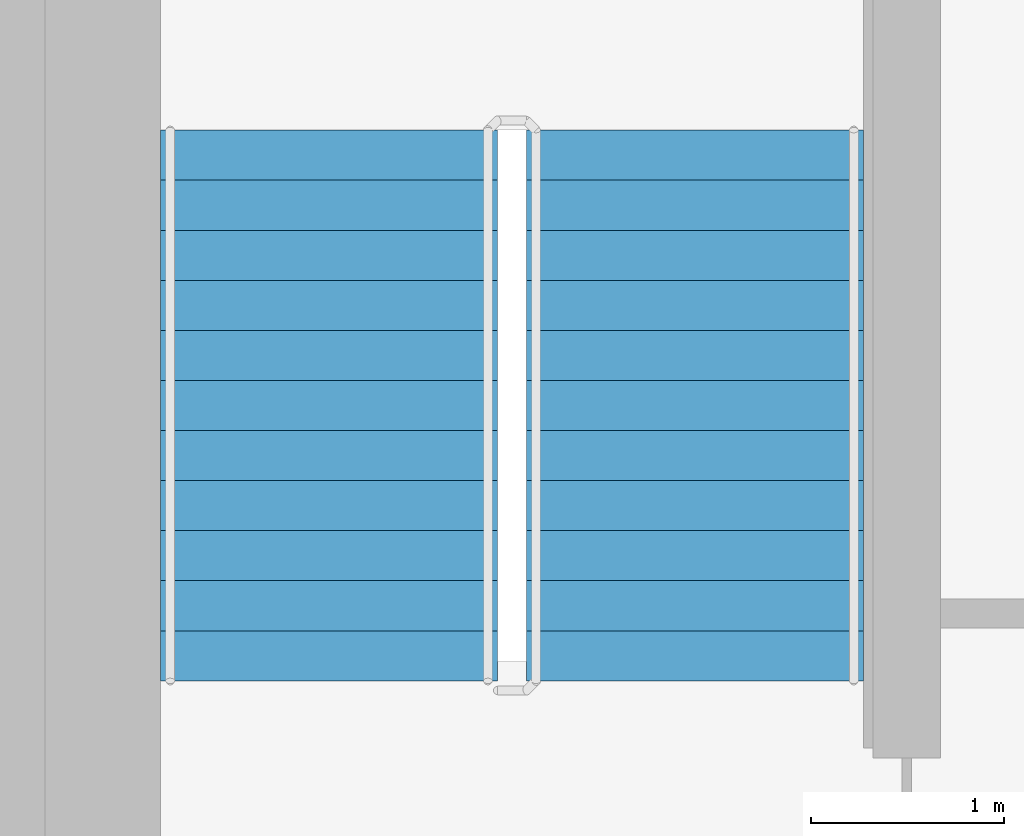
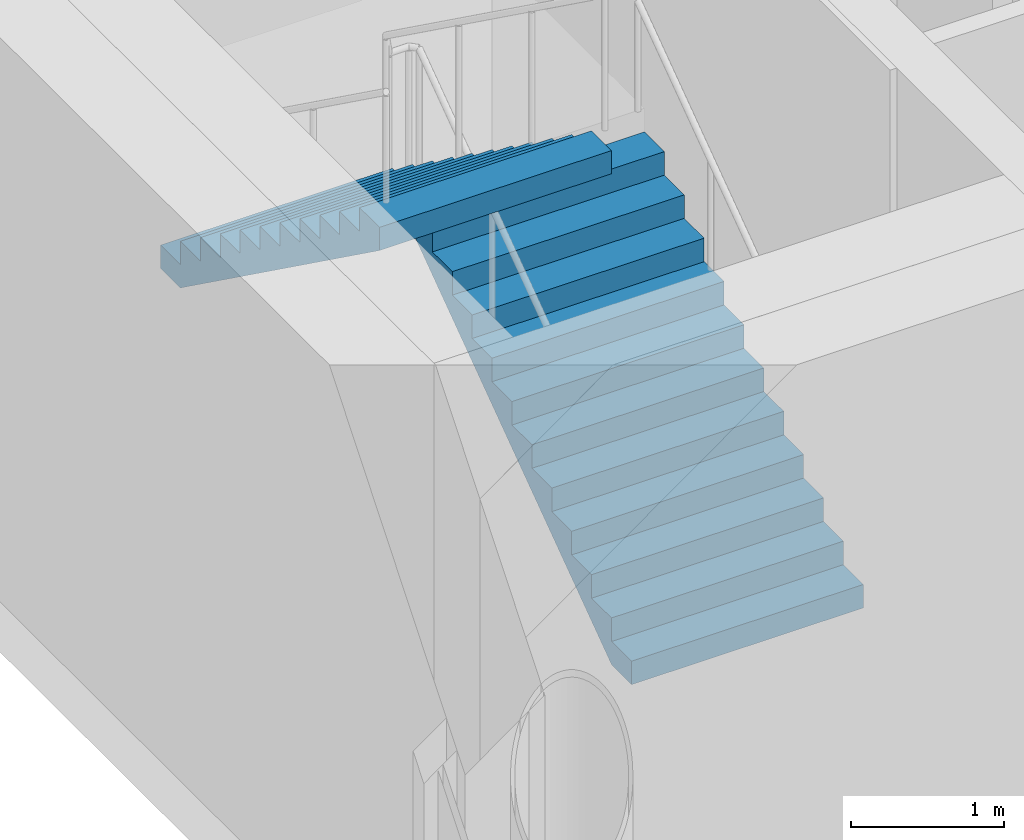
# One storey, part 11 of 12: 2 stair flights, 1 element without a shape of its own.
"""IFC4 building model written with IfcOpenShell, lengths in metres."""

from ifc_helpers import new_model, si_unit, direction, frame, origin, place, context, subcontext, project, spatial, faceted_brep, material, type_object, element, aggregate, save


model = new_model("IFC4")

# Units and contexts
model_context = context("Model", 3, precision=1e-05, world=origin(), true_north=direction((0.0, 1.0)))
body_context = subcontext(model_context, "Body", "Model", "MODEL_VIEW")
ifc_project = project(units=[si_unit("LENGTHUNIT", "METRE"), si_unit("AREAUNIT", "SQUARE_METRE"), si_unit("VOLUMEUNIT", "CUBIC_METRE"), si_unit("PLANEANGLEUNIT", "RADIAN"), si_unit("MASSUNIT", "GRAM", prefix="KILO")], contexts=[model_context])

# Site, building, storey
site_placement = place(None, origin())
site = spatial("IfcSite", under=ifc_project, at=site_placement, CompositionType="ELEMENT")
building_placement = place(site_placement, origin())
building = spatial("IfcBuilding", under=site, at=building_placement, Name="Ipe Terrace Towers", CompositionType="ELEMENT")
storey_placement = place(building_placement, frame((0.0, 0.0, 260.39990234375)))
storey = spatial("IfcBuildingStorey", under=building, at=storey_placement, Name="L71", CompositionType="ELEMENT", Elevation=260.39990234375)

# Stair, stair flights
ifc_material_1 = material(Name="Concrete C30/37", Category="concrete")
stair_type = type_object("IfcStairType", Name="Protected exit stair", PredefinedType="HALF_TURN_STAIR", material=ifc_material_1)
stair_placement = place(storey_placement, origin())
stair = element("IfcStair", 1, at=stair_placement, inside=storey, type_object=stair_type, Name="L71 Exit stair T2-C1", PredefinedType="HALF_TURN_STAIR")
ifc_material_2 = material(Name="Concrete C30/37", Category="concrete")
stair_flight_type = type_object("IfcStairFlightType", Name="Exit stair flight 1750", PredefinedType="STRAIGHT", material=ifc_material_2)
stair_flight_1_placement = place(storey_placement, frame((33.22509765625, 9.699951171875, 0.0), z_axis=(0.0, 0.0, 1.0), x_axis=(0.0, 1.0, 0.0)))
stair_flight_1 = element("IfcStairFlight", 2, at=stair_flight_1_placement, type_object=stair_flight_type, Name="T2-ST1 flight 1", NumberOfRisers=12, NumberOfTreads=11, PredefinedType="STRAIGHT", RiserHeight=0.1875, TreadLength=0.26, context=body_context, shape_type="Brep", body=[
    faceted_brep([(0.25634765625, -0.875, 0.0), (2.860107421875, -0.875, 1.877685546875), (2.860107421875, -0.875, 2.0625), (2.60009765625, -0.875, 2.0625), (2.60009765625, -0.875, 1.875), (2.340087890625, -0.875, 1.875), (2.340087890625, -0.875, 1.6875), (2.080078125, -0.875, 1.6875), (2.080078125, -0.875, 1.5), (1.820068359375, -0.875, 1.5), (1.820068359375, -0.875, 1.3125), (1.56005859375, -0.875, 1.3125), (1.56005859375, -0.875, 1.125), (1.300048828125, -0.875, 1.125), (1.300048828125, -0.875, 0.9375), (1.0400390625, -0.875, 0.9375), (1.0400390625, -0.875, 0.75), (0.780029296875, -0.875, 0.75), (0.780029296875, -0.875, 0.5625), (0.52001953125, -0.875, 0.5625), (0.52001953125, -0.875, 0.375), (0.260009765625, -0.875, 0.375), (0.260009765625, -0.875, 0.1875), (0.0, -0.875, 0.1875), (0.0, -0.875, 0.0), (0.0, 0.875, 0.0), (0.0, 0.875, 0.1875), (0.260009765625, 0.875, 0.1875), (0.260009765625, 0.875, 0.375), (0.52001953125, 0.875, 0.375), (0.52001953125, 0.875, 0.5625), (0.780029296875, 0.875, 0.5625), (0.780029296875, 0.875, 0.75), (1.0400390625, 0.875, 0.75), (1.0400390625, 0.875, 0.9375), (1.300048828125, 0.875, 0.9375), (1.300048828125, 0.875, 1.125), (1.56005859375, 0.875, 1.125), (1.56005859375, 0.875, 1.3125), (1.820068359375, 0.875, 1.3125), (1.820068359375, 0.875, 1.5), (2.080078125, 0.875, 1.5), (2.080078125, 0.875, 1.6875), (2.340087890625, 0.875, 1.6875), (2.340087890625, 0.875, 1.875), (2.60009765625, 0.875, 1.875), (2.60009765625, 0.875, 2.0625), (2.860107421875, 0.875, 2.0625), (2.860107421875, 0.875, 1.877685546875), (0.25634765625, 0.875, 0.0), (0.0, -0.300048828125, 0.1875), (0.0, -0.1201171875, 0.1875), (0.0, -0.06005859375, 0.1875), (0.0, -0.030029296875, 0.1875), (0.0, -0.010009765625, 0.1875), (0.0, 0.0, 0.1875), (0.0, 0.010009765625, 0.1875), (0.0, 0.030029296875, 0.1875), (0.0, 0.06005859375, 0.1875), (0.0, 0.1201171875, 0.1875), (0.0, 0.300048828125, 0.1875), (0.0, 0.300048828125, 0.0), (0.0, 0.1201171875, 0.0), (0.0, 0.06005859375, 0.0), (0.0, 0.030029296875, 0.0), (0.0, 0.010009765625, 0.0), (0.0, 0.0, 0.0), (0.0, -0.010009765625, 0.0), (0.0, -0.030029296875, 0.0), (0.0, -0.06005859375, 0.0), (0.0, -0.1201171875, 0.0), (0.0, -0.300048828125, 0.0), (0.260009765625, -0.300048828125, 0.1875), (0.260009765625, -0.1201171875, 0.1875), (0.260009765625, -0.06005859375, 0.1875), (0.260009765625, -0.030029296875, 0.1875), (0.260009765625, -0.010009765625, 0.1875), (0.260009765625, 0.0, 0.1875), (0.260009765625, 0.010009765625, 0.1875), (0.260009765625, 0.030029296875, 0.1875), (0.260009765625, 0.06005859375, 0.1875), (0.260009765625, 0.1201171875, 0.1875), (0.260009765625, 0.300048828125, 0.1875), (0.260009765625, -0.300048828125, 0.375), (0.260009765625, -0.1201171875, 0.375), (0.260009765625, -0.06005859375, 0.375), (0.260009765625, -0.030029296875, 0.375), (0.260009765625, -0.010009765625, 0.375), (0.260009765625, 0.0, 0.375), (0.260009765625, 0.010009765625, 0.375), (0.260009765625, 0.030029296875, 0.375), (0.260009765625, 0.06005859375, 0.375), (0.260009765625, 0.1201171875, 0.375), (0.260009765625, 0.300048828125, 0.375), (0.52001953125, -0.300048828125, 0.375), (0.52001953125, -0.1201171875, 0.375), (0.52001953125, -0.06005859375, 0.375), (0.52001953125, -0.030029296875, 0.375), (0.52001953125, -0.010009765625, 0.375), (0.52001953125, 0.0, 0.375), (0.52001953125, 0.010009765625, 0.375), (0.52001953125, 0.030029296875, 0.375), (0.52001953125, 0.06005859375, 0.375), (0.52001953125, 0.1201171875, 0.375), (0.52001953125, 0.300048828125, 0.375), (0.52001953125, -0.300048828125, 0.5625), (0.52001953125, -0.1201171875, 0.5625), (0.52001953125, -0.06005859375, 0.5625), (0.52001953125, -0.030029296875, 0.5625), (0.52001953125, -0.010009765625, 0.5625), (0.52001953125, 0.0, 0.5625), (0.52001953125, 0.010009765625, 0.5625), (0.52001953125, 0.030029296875, 0.5625), (0.52001953125, 0.06005859375, 0.5625), (0.52001953125, 0.1201171875, 0.5625), (0.52001953125, 0.300048828125, 0.5625), (0.780029296875, -0.300048828125, 0.5625), (0.780029296875, -0.1201171875, 0.5625), (0.780029296875, -0.06005859375, 0.5625), (0.780029296875, -0.030029296875, 0.5625), (0.780029296875, -0.010009765625, 0.5625), (0.780029296875, 0.0, 0.5625), (0.780029296875, 0.010009765625, 0.5625), (0.780029296875, 0.030029296875, 0.5625), (0.780029296875, 0.06005859375, 0.5625), (0.780029296875, 0.1201171875, 0.5625), (0.780029296875, 0.300048828125, 0.5625), (0.780029296875, -0.300048828125, 0.75), (0.780029296875, -0.1201171875, 0.75), (0.780029296875, -0.06005859375, 0.75), (0.780029296875, -0.030029296875, 0.75), (0.780029296875, -0.010009765625, 0.75), (0.780029296875, 0.0, 0.75), (0.780029296875, 0.010009765625, 0.75), (0.780029296875, 0.030029296875, 0.75), (0.780029296875, 0.06005859375, 0.75), (0.780029296875, 0.1201171875, 0.75), (0.780029296875, 0.300048828125, 0.75), (1.0400390625, -0.300048828125, 0.75), (1.0400390625, -0.1201171875, 0.75), (1.0400390625, -0.06005859375, 0.75), (1.0400390625, -0.030029296875, 0.75), (1.0400390625, -0.010009765625, 0.75), (1.0400390625, 0.0, 0.75), (1.0400390625, 0.010009765625, 0.75), (1.0400390625, 0.030029296875, 0.75), (1.0400390625, 0.06005859375, 0.75), (1.0400390625, 0.1201171875, 0.75), (1.0400390625, 0.300048828125, 0.75), (1.0400390625, -0.300048828125, 0.9375), (1.0400390625, -0.1201171875, 0.9375), (1.0400390625, -0.06005859375, 0.9375), (1.0400390625, -0.030029296875, 0.9375), (1.0400390625, -0.010009765625, 0.9375), (1.0400390625, 0.0, 0.9375), (1.0400390625, 0.010009765625, 0.9375), (1.0400390625, 0.030029296875, 0.9375), (1.0400390625, 0.06005859375, 0.9375), (1.0400390625, 0.1201171875, 0.9375), (1.0400390625, 0.300048828125, 0.9375), (1.300048828125, -0.300048828125, 0.9375), (1.300048828125, -0.1201171875, 0.9375), (1.300048828125, -0.06005859375, 0.9375), (1.300048828125, -0.030029296875, 0.9375), (1.300048828125, -0.010009765625, 0.9375), (1.300048828125, 0.0, 0.9375), (1.300048828125, 0.010009765625, 0.9375), (1.300048828125, 0.030029296875, 0.9375), (1.300048828125, 0.06005859375, 0.9375), (1.300048828125, 0.1201171875, 0.9375), (1.300048828125, 0.300048828125, 0.9375), (1.300048828125, -0.300048828125, 1.125), (1.300048828125, -0.1201171875, 1.125), (1.300048828125, -0.06005859375, 1.125), (1.300048828125, -0.030029296875, 1.125), (1.300048828125, -0.010009765625, 1.125), (1.300048828125, 0.0, 1.125), (1.300048828125, 0.010009765625, 1.125), (1.300048828125, 0.030029296875, 1.125), (1.300048828125, 0.06005859375, 1.125), (1.300048828125, 0.1201171875, 1.125), (1.300048828125, 0.300048828125, 1.125), (1.56005859375, -0.300048828125, 1.125), (1.56005859375, -0.1201171875, 1.125), (1.56005859375, -0.06005859375, 1.125), (1.56005859375, -0.030029296875, 1.125), (1.56005859375, -0.010009765625, 1.125), (1.56005859375, 0.0, 1.125), (1.56005859375, 0.010009765625, 1.125), (1.56005859375, 0.030029296875, 1.125), (1.56005859375, 0.06005859375, 1.125), (1.56005859375, 0.1201171875, 1.125), (1.56005859375, 0.300048828125, 1.125), (1.56005859375, -0.300048828125, 1.3125), (1.56005859375, -0.1201171875, 1.3125), (1.56005859375, -0.06005859375, 1.3125), (1.56005859375, -0.030029296875, 1.3125), (1.56005859375, -0.010009765625, 1.3125), (1.56005859375, 0.0, 1.3125), (1.56005859375, 0.010009765625, 1.3125), (1.56005859375, 0.030029296875, 1.3125), (1.56005859375, 0.06005859375, 1.3125), (1.56005859375, 0.1201171875, 1.3125), (1.56005859375, 0.300048828125, 1.3125), (1.820068359375, -0.300048828125, 1.3125), (1.820068359375, -0.1201171875, 1.3125), (1.820068359375, -0.06005859375, 1.3125), (1.820068359375, -0.030029296875, 1.3125), (1.820068359375, -0.010009765625, 1.3125), (1.820068359375, 0.0, 1.3125), (1.820068359375, 0.010009765625, 1.3125), (1.820068359375, 0.030029296875, 1.3125), (1.820068359375, 0.06005859375, 1.3125), (1.820068359375, 0.1201171875, 1.3125), (1.820068359375, 0.300048828125, 1.3125), (1.820068359375, -0.300048828125, 1.5), (1.820068359375, -0.1201171875, 1.5), (1.820068359375, -0.06005859375, 1.5), (1.820068359375, -0.030029296875, 1.5), (1.820068359375, -0.010009765625, 1.5), (1.820068359375, 0.0, 1.5), (1.820068359375, 0.010009765625, 1.5), (1.820068359375, 0.030029296875, 1.5), (1.820068359375, 0.06005859375, 1.5), (1.820068359375, 0.1201171875, 1.5), (1.820068359375, 0.300048828125, 1.5), (2.080078125, -0.300048828125, 1.5), (2.080078125, -0.1201171875, 1.5), (2.080078125, -0.06005859375, 1.5), (2.080078125, -0.030029296875, 1.5), (2.080078125, -0.010009765625, 1.5), (2.080078125, 0.0, 1.5), (2.080078125, 0.010009765625, 1.5), (2.080078125, 0.030029296875, 1.5), (2.080078125, 0.06005859375, 1.5), (2.080078125, 0.1201171875, 1.5), (2.080078125, 0.300048828125, 1.5), (2.080078125, -0.300048828125, 1.6875), (2.080078125, -0.1201171875, 1.6875), (2.080078125, -0.06005859375, 1.6875), (2.080078125, -0.030029296875, 1.6875), (2.080078125, -0.010009765625, 1.6875), (2.080078125, 0.0, 1.6875), (2.080078125, 0.010009765625, 1.6875), (2.080078125, 0.030029296875, 1.6875), (2.080078125, 0.06005859375, 1.6875), (2.080078125, 0.1201171875, 1.6875), (2.080078125, 0.300048828125, 1.6875), (2.340087890625, -0.300048828125, 1.6875), (2.340087890625, -0.1201171875, 1.6875), (2.340087890625, -0.06005859375, 1.6875), (2.340087890625, -0.030029296875, 1.6875), (2.340087890625, -0.010009765625, 1.6875), (2.340087890625, 0.0, 1.6875), (2.340087890625, 0.010009765625, 1.6875), (2.340087890625, 0.030029296875, 1.6875), (2.340087890625, 0.06005859375, 1.6875), (2.340087890625, 0.1201171875, 1.6875), (2.340087890625, 0.300048828125, 1.6875), (2.340087890625, -0.300048828125, 1.875), (2.340087890625, -0.1201171875, 1.875), (2.340087890625, -0.06005859375, 1.875), (2.340087890625, -0.030029296875, 1.875), (2.340087890625, -0.010009765625, 1.875), (2.340087890625, 0.0, 1.875), (2.340087890625, 0.010009765625, 1.875), (2.340087890625, 0.030029296875, 1.875), (2.340087890625, 0.06005859375, 1.875), (2.340087890625, 0.1201171875, 1.875), (2.340087890625, 0.300048828125, 1.875), (2.60009765625, -0.300048828125, 1.875), (2.60009765625, -0.1201171875, 1.875), (2.60009765625, -0.06005859375, 1.875), (2.60009765625, -0.030029296875, 1.875), (2.60009765625, -0.010009765625, 1.875), (2.60009765625, 0.0, 1.875), (2.60009765625, 0.010009765625, 1.875), (2.60009765625, 0.030029296875, 1.875), (2.60009765625, 0.06005859375, 1.875), (2.60009765625, 0.1201171875, 1.875), (2.60009765625, 0.300048828125, 1.875), (2.60009765625, -0.300048828125, 2.0625), (2.60009765625, -0.1201171875, 2.0625), (2.60009765625, -0.06005859375, 2.0625), (2.60009765625, -0.030029296875, 2.0625), (2.60009765625, -0.010009765625, 2.0625), (2.60009765625, 0.0, 2.0625), (2.60009765625, 0.010009765625, 2.0625), (2.60009765625, 0.030029296875, 2.0625), (2.60009765625, 0.06005859375, 2.0625), (2.60009765625, 0.1201171875, 2.0625), (2.60009765625, 0.300048828125, 2.0625), (2.860107421875, -0.300048828125, 2.0625), (2.860107421875, -0.1201171875, 2.0625), (2.860107421875, -0.06005859375, 2.0625), (2.860107421875, -0.030029296875, 2.0625), (2.860107421875, -0.010009765625, 2.0625), (2.860107421875, 0.0, 2.0625), (2.860107421875, 0.010009765625, 2.0625), (2.860107421875, 0.030029296875, 2.0625), (2.860107421875, 0.06005859375, 2.0625), (2.860107421875, 0.1201171875, 2.0625), (2.860107421875, 0.300048828125, 2.0625), (2.860107421875, -0.300048828125, 1.877685546875), (2.860107421875, -0.1201171875, 1.877685546875), (2.860107421875, -0.06005859375, 1.877685546875), (2.860107421875, -0.030029296875, 1.877685546875), (2.860107421875, -0.010009765625, 1.877685546875), (2.860107421875, 0.0, 1.877685546875), (2.860107421875, 0.010009765625, 1.877685546875), (2.860107421875, 0.030029296875, 1.877685546875), (2.860107421875, 0.06005859375, 1.877685546875), (2.860107421875, 0.1201171875, 1.877685546875), (2.860107421875, 0.300048828125, 1.877685546875), (0.25634765625, -0.300048828125, 0.0), (0.25634765625, -0.1201171875, 0.0), (0.25634765625, -0.06005859375, 0.0), (0.25634765625, -0.030029296875, 0.0), (0.25634765625, -0.010009765625, 0.0), (0.25634765625, 0.0, 0.0), (0.25634765625, 0.010009765625, 0.0), (0.25634765625, 0.030029296875, 0.0), (0.25634765625, 0.06005859375, 0.0), (0.25634765625, 0.1201171875, 0.0), (0.25634765625, 0.300048828125, 0.0)], [[[0, 1, 2, 3, 4, 5, 6, 7, 8, 9, 10, 11, 12, 13, 14, 15, 16, 17, 18, 19, 20, 21, 22, 23, 24]], [[25, 26, 27, 28, 29, 30, 31, 32, 33, 34, 35, 36, 37, 38, 39, 40, 41, 42, 43, 44, 45, 46, 47, 48, 49]], [[23, 50, 51, 52, 53, 54, 55, 56, 57, 58, 59, 60, 26, 25, 61, 62, 63, 64, 65, 66, 67, 68, 69, 70, 71, 24]], [[22, 72, 73, 74, 75, 76, 77, 78, 79, 80, 81, 82, 27, 26, 60, 59, 58, 57, 56, 55, 54, 53, 52, 51, 50, 23]], [[21, 83, 84, 85, 86, 87, 88, 89, 90, 91, 92, 93, 28, 27, 82, 81, 80, 79, 78, 77, 76, 75, 74, 73, 72, 22]], [[20, 94, 95, 96, 97, 98, 99, 100, 101, 102, 103, 104, 29, 28, 93, 92, 91, 90, 89, 88, 87, 86, 85, 84, 83, 21]], [[19, 105, 106, 107, 108, 109, 110, 111, 112, 113, 114, 115, 30, 29, 104, 103, 102, 101, 100, 99, 98, 97, 96, 95, 94, 20]], [[18, 116, 117, 118, 119, 120, 121, 122, 123, 124, 125, 126, 31, 30, 115, 114, 113, 112, 111, 110, 109, 108, 107, 106, 105, 19]], [[17, 127, 128, 129, 130, 131, 132, 133, 134, 135, 136, 137, 32, 31, 126, 125, 124, 123, 122, 121, 120, 119, 118, 117, 116, 18]], [[16, 138, 139, 140, 141, 142, 143, 144, 145, 146, 147, 148, 33, 32, 137, 136, 135, 134, 133, 132, 131, 130, 129, 128, 127, 17]], [[15, 149, 150, 151, 152, 153, 154, 155, 156, 157, 158, 159, 34, 33, 148, 147, 146, 145, 144, 143, 142, 141, 140, 139, 138, 16]], [[14, 160, 161, 162, 163, 164, 165, 166, 167, 168, 169, 170, 35, 34, 159, 158, 157, 156, 155, 154, 153, 152, 151, 150, 149, 15]], [[13, 171, 172, 173, 174, 175, 176, 177, 178, 179, 180, 181, 36, 35, 170, 169, 168, 167, 166, 165, 164, 163, 162, 161, 160, 14]], [[12, 182, 183, 184, 185, 186, 187, 188, 189, 190, 191, 192, 37, 36, 181, 180, 179, 178, 177, 176, 175, 174, 173, 172, 171, 13]], [[11, 193, 194, 195, 196, 197, 198, 199, 200, 201, 202, 203, 38, 37, 192, 191, 190, 189, 188, 187, 186, 185, 184, 183, 182, 12]], [[10, 204, 205, 206, 207, 208, 209, 210, 211, 212, 213, 214, 39, 38, 203, 202, 201, 200, 199, 198, 197, 196, 195, 194, 193, 11]], [[9, 215, 216, 217, 218, 219, 220, 221, 222, 223, 224, 225, 40, 39, 214, 213, 212, 211, 210, 209, 208, 207, 206, 205, 204, 10]], [[8, 226, 227, 228, 229, 230, 231, 232, 233, 234, 235, 236, 41, 40, 225, 224, 223, 222, 221, 220, 219, 218, 217, 216, 215, 9]], [[7, 237, 238, 239, 240, 241, 242, 243, 244, 245, 246, 247, 42, 41, 236, 235, 234, 233, 232, 231, 230, 229, 228, 227, 226, 8]], [[6, 248, 249, 250, 251, 252, 253, 254, 255, 256, 257, 258, 43, 42, 247, 246, 245, 244, 243, 242, 241, 240, 239, 238, 237, 7]], [[5, 259, 260, 261, 262, 263, 264, 265, 266, 267, 268, 269, 44, 43, 258, 257, 256, 255, 254, 253, 252, 251, 250, 249, 248, 6]], [[4, 270, 271, 272, 273, 274, 275, 276, 277, 278, 279, 280, 45, 44, 269, 268, 267, 266, 265, 264, 263, 262, 261, 260, 259, 5]], [[3, 281, 282, 283, 284, 285, 286, 287, 288, 289, 290, 291, 46, 45, 280, 279, 278, 277, 276, 275, 274, 273, 272, 271, 270, 4]], [[2, 292, 293, 294, 295, 296, 297, 298, 299, 300, 301, 302, 47, 46, 291, 290, 289, 288, 287, 286, 285, 284, 283, 282, 281, 3]], [[1, 303, 304, 305, 306, 307, 308, 309, 310, 311, 312, 313, 48, 47, 302, 301, 300, 299, 298, 297, 296, 295, 294, 293, 292, 2]], [[0, 314, 315, 316, 317, 318, 319, 320, 321, 322, 323, 324, 49, 48, 313, 312, 311, 310, 309, 308, 307, 306, 305, 304, 303, 1]], [[24, 71, 70, 69, 68, 67, 66, 65, 64, 63, 62, 61, 25, 49, 324, 323, 322, 321, 320, 319, 318, 317, 316, 315, 314, 0]]]),
])
stair_flight_2_placement = place(storey_placement, frame((31.324951171875, 12.56005859375, 2.25), z_axis=(0.0, 0.0, 1.0), x_axis=(0.0, -1.0, 0.0)))
stair_flight_2 = element("IfcStairFlight", 3, at=stair_flight_2_placement, type_object=stair_flight_type, Name="T2-ST1 flight 2", NumberOfRisers=12, NumberOfTreads=11, PredefinedType="STRAIGHT", RiserHeight=0.1875, TreadLength=0.26, context=body_context, shape_type="Brep", body=[
    faceted_brep([(0.25634765625, -0.875, 0.0), (2.860107421875, -0.875, 1.877685546875), (2.860107421875, -0.875, 2.0625), (2.60009765625, -0.875, 2.0625), (2.60009765625, -0.875, 1.875), (2.340087890625, -0.875, 1.875), (2.340087890625, -0.875, 1.6875), (2.080078125, -0.875, 1.6875), (2.080078125, -0.875, 1.5), (1.820068359375, -0.875, 1.5), (1.820068359375, -0.875, 1.3125), (1.56005859375, -0.875, 1.3125), (1.56005859375, -0.875, 1.125), (1.300048828125, -0.875, 1.125), (1.300048828125, -0.875, 0.9375), (1.0400390625, -0.875, 0.9375), (1.0400390625, -0.875, 0.75), (0.780029296875, -0.875, 0.75), (0.780029296875, -0.875, 0.5625), (0.52001953125, -0.875, 0.5625), (0.52001953125, -0.875, 0.375), (0.260009765625, -0.875, 0.375), (0.260009765625, -0.875, 0.1875), (0.0, -0.875, 0.1875), (0.0, -0.875, 0.0), (0.0, 0.875, 0.0), (0.0, 0.875, 0.1875), (0.260009765625, 0.875, 0.1875), (0.260009765625, 0.875, 0.375), (0.52001953125, 0.875, 0.375), (0.52001953125, 0.875, 0.5625), (0.780029296875, 0.875, 0.5625), (0.780029296875, 0.875, 0.75), (1.0400390625, 0.875, 0.75), (1.0400390625, 0.875, 0.9375), (1.300048828125, 0.875, 0.9375), (1.300048828125, 0.875, 1.125), (1.56005859375, 0.875, 1.125), (1.56005859375, 0.875, 1.3125), (1.820068359375, 0.875, 1.3125), (1.820068359375, 0.875, 1.5), (2.080078125, 0.875, 1.5), (2.080078125, 0.875, 1.6875), (2.340087890625, 0.875, 1.6875), (2.340087890625, 0.875, 1.875), (2.60009765625, 0.875, 1.875), (2.60009765625, 0.875, 2.0625), (2.860107421875, 0.875, 2.0625), (2.860107421875, 0.875, 1.877685546875), (0.25634765625, 0.875, 0.0), (0.0, -0.300048828125, 0.1875), (0.0, -0.1201171875, 0.1875), (0.0, -0.06005859375, 0.1875), (0.0, -0.030029296875, 0.1875), (0.0, -0.010009765625, 0.1875), (0.0, 0.0, 0.1875), (0.0, 0.010009765625, 0.1875), (0.0, 0.030029296875, 0.1875), (0.0, 0.06005859375, 0.1875), (0.0, 0.1201171875, 0.1875), (0.0, 0.300048828125, 0.1875), (0.0, 0.300048828125, 0.0), (0.0, 0.1201171875, 0.0), (0.0, 0.06005859375, 0.0), (0.0, 0.030029296875, 0.0), (0.0, 0.010009765625, 0.0), (0.0, 0.0, 0.0), (0.0, -0.010009765625, 0.0), (0.0, -0.030029296875, 0.0), (0.0, -0.06005859375, 0.0), (0.0, -0.1201171875, 0.0), (0.0, -0.300048828125, 0.0), (0.260009765625, -0.300048828125, 0.1875), (0.260009765625, -0.1201171875, 0.1875), (0.260009765625, -0.06005859375, 0.1875), (0.260009765625, -0.030029296875, 0.1875), (0.260009765625, -0.010009765625, 0.1875), (0.260009765625, 0.0, 0.1875), (0.260009765625, 0.010009765625, 0.1875), (0.260009765625, 0.030029296875, 0.1875), (0.260009765625, 0.06005859375, 0.1875), (0.260009765625, 0.1201171875, 0.1875), (0.260009765625, 0.300048828125, 0.1875), (0.260009765625, -0.300048828125, 0.375), (0.260009765625, -0.1201171875, 0.375), (0.260009765625, -0.06005859375, 0.375), (0.260009765625, -0.030029296875, 0.375), (0.260009765625, -0.010009765625, 0.375), (0.260009765625, 0.0, 0.375), (0.260009765625, 0.010009765625, 0.375), (0.260009765625, 0.030029296875, 0.375), (0.260009765625, 0.06005859375, 0.375), (0.260009765625, 0.1201171875, 0.375), (0.260009765625, 0.300048828125, 0.375), (0.52001953125, -0.300048828125, 0.375), (0.52001953125, -0.1201171875, 0.375), (0.52001953125, -0.06005859375, 0.375), (0.52001953125, -0.030029296875, 0.375), (0.52001953125, -0.010009765625, 0.375), (0.52001953125, 0.0, 0.375), (0.52001953125, 0.010009765625, 0.375), (0.52001953125, 0.030029296875, 0.375), (0.52001953125, 0.06005859375, 0.375), (0.52001953125, 0.1201171875, 0.375), (0.52001953125, 0.300048828125, 0.375), (0.52001953125, -0.300048828125, 0.5625), (0.52001953125, -0.1201171875, 0.5625), (0.52001953125, -0.06005859375, 0.5625), (0.52001953125, -0.030029296875, 0.5625), (0.52001953125, -0.010009765625, 0.5625), (0.52001953125, 0.0, 0.5625), (0.52001953125, 0.010009765625, 0.5625), (0.52001953125, 0.030029296875, 0.5625), (0.52001953125, 0.06005859375, 0.5625), (0.52001953125, 0.1201171875, 0.5625), (0.52001953125, 0.300048828125, 0.5625), (0.780029296875, -0.300048828125, 0.5625), (0.780029296875, -0.1201171875, 0.5625), (0.780029296875, -0.06005859375, 0.5625), (0.780029296875, -0.030029296875, 0.5625), (0.780029296875, -0.010009765625, 0.5625), (0.780029296875, 0.0, 0.5625), (0.780029296875, 0.010009765625, 0.5625), (0.780029296875, 0.030029296875, 0.5625), (0.780029296875, 0.06005859375, 0.5625), (0.780029296875, 0.1201171875, 0.5625), (0.780029296875, 0.300048828125, 0.5625), (0.780029296875, -0.300048828125, 0.75), (0.780029296875, -0.1201171875, 0.75), (0.780029296875, -0.06005859375, 0.75), (0.780029296875, -0.030029296875, 0.75), (0.780029296875, -0.010009765625, 0.75), (0.780029296875, 0.0, 0.75), (0.780029296875, 0.010009765625, 0.75), (0.780029296875, 0.030029296875, 0.75), (0.780029296875, 0.06005859375, 0.75), (0.780029296875, 0.1201171875, 0.75), (0.780029296875, 0.300048828125, 0.75), (1.0400390625, -0.300048828125, 0.75), (1.0400390625, -0.1201171875, 0.75), (1.0400390625, -0.06005859375, 0.75), (1.0400390625, -0.030029296875, 0.75), (1.0400390625, -0.010009765625, 0.75), (1.0400390625, 0.0, 0.75), (1.0400390625, 0.010009765625, 0.75), (1.0400390625, 0.030029296875, 0.75), (1.0400390625, 0.06005859375, 0.75), (1.0400390625, 0.1201171875, 0.75), (1.0400390625, 0.300048828125, 0.75), (1.0400390625, -0.300048828125, 0.9375), (1.0400390625, -0.1201171875, 0.9375), (1.0400390625, -0.06005859375, 0.9375), (1.0400390625, -0.030029296875, 0.9375), (1.0400390625, -0.010009765625, 0.9375), (1.0400390625, 0.0, 0.9375), (1.0400390625, 0.010009765625, 0.9375), (1.0400390625, 0.030029296875, 0.9375), (1.0400390625, 0.06005859375, 0.9375), (1.0400390625, 0.1201171875, 0.9375), (1.0400390625, 0.300048828125, 0.9375), (1.300048828125, -0.300048828125, 0.9375), (1.300048828125, -0.1201171875, 0.9375), (1.300048828125, -0.06005859375, 0.9375), (1.300048828125, -0.030029296875, 0.9375), (1.300048828125, -0.010009765625, 0.9375), (1.300048828125, 0.0, 0.9375), (1.300048828125, 0.010009765625, 0.9375), (1.300048828125, 0.030029296875, 0.9375), (1.300048828125, 0.06005859375, 0.9375), (1.300048828125, 0.1201171875, 0.9375), (1.300048828125, 0.300048828125, 0.9375), (1.300048828125, -0.300048828125, 1.125), (1.300048828125, -0.1201171875, 1.125), (1.300048828125, -0.06005859375, 1.125), (1.300048828125, -0.030029296875, 1.125), (1.300048828125, -0.010009765625, 1.125), (1.300048828125, 0.0, 1.125), (1.300048828125, 0.010009765625, 1.125), (1.300048828125, 0.030029296875, 1.125), (1.300048828125, 0.06005859375, 1.125), (1.300048828125, 0.1201171875, 1.125), (1.300048828125, 0.300048828125, 1.125), (1.56005859375, -0.300048828125, 1.125), (1.56005859375, -0.1201171875, 1.125), (1.56005859375, -0.06005859375, 1.125), (1.56005859375, -0.030029296875, 1.125), (1.56005859375, -0.010009765625, 1.125), (1.56005859375, 0.0, 1.125), (1.56005859375, 0.010009765625, 1.125), (1.56005859375, 0.030029296875, 1.125), (1.56005859375, 0.06005859375, 1.125), (1.56005859375, 0.1201171875, 1.125), (1.56005859375, 0.300048828125, 1.125), (1.56005859375, -0.300048828125, 1.3125), (1.56005859375, -0.1201171875, 1.3125), (1.56005859375, -0.06005859375, 1.3125), (1.56005859375, -0.030029296875, 1.3125), (1.56005859375, -0.010009765625, 1.3125), (1.56005859375, 0.0, 1.3125), (1.56005859375, 0.010009765625, 1.3125), (1.56005859375, 0.030029296875, 1.3125), (1.56005859375, 0.06005859375, 1.3125), (1.56005859375, 0.1201171875, 1.3125), (1.56005859375, 0.300048828125, 1.3125), (1.820068359375, -0.300048828125, 1.3125), (1.820068359375, -0.1201171875, 1.3125), (1.820068359375, -0.06005859375, 1.3125), (1.820068359375, -0.030029296875, 1.3125), (1.820068359375, -0.010009765625, 1.3125), (1.820068359375, 0.0, 1.3125), (1.820068359375, 0.010009765625, 1.3125), (1.820068359375, 0.030029296875, 1.3125), (1.820068359375, 0.06005859375, 1.3125), (1.820068359375, 0.1201171875, 1.3125), (1.820068359375, 0.300048828125, 1.3125), (1.820068359375, -0.300048828125, 1.5), (1.820068359375, -0.1201171875, 1.5), (1.820068359375, -0.06005859375, 1.5), (1.820068359375, -0.030029296875, 1.5), (1.820068359375, -0.010009765625, 1.5), (1.820068359375, 0.0, 1.5), (1.820068359375, 0.010009765625, 1.5), (1.820068359375, 0.030029296875, 1.5), (1.820068359375, 0.06005859375, 1.5), (1.820068359375, 0.1201171875, 1.5), (1.820068359375, 0.300048828125, 1.5), (2.080078125, -0.300048828125, 1.5), (2.080078125, -0.1201171875, 1.5), (2.080078125, -0.06005859375, 1.5), (2.080078125, -0.030029296875, 1.5), (2.080078125, -0.010009765625, 1.5), (2.080078125, 0.0, 1.5), (2.080078125, 0.010009765625, 1.5), (2.080078125, 0.030029296875, 1.5), (2.080078125, 0.06005859375, 1.5), (2.080078125, 0.1201171875, 1.5), (2.080078125, 0.300048828125, 1.5), (2.080078125, -0.300048828125, 1.6875), (2.080078125, -0.1201171875, 1.6875), (2.080078125, -0.06005859375, 1.6875), (2.080078125, -0.030029296875, 1.6875), (2.080078125, -0.010009765625, 1.6875), (2.080078125, 0.0, 1.6875), (2.080078125, 0.010009765625, 1.6875), (2.080078125, 0.030029296875, 1.6875), (2.080078125, 0.06005859375, 1.6875), (2.080078125, 0.1201171875, 1.6875), (2.080078125, 0.300048828125, 1.6875), (2.340087890625, -0.300048828125, 1.6875), (2.340087890625, -0.1201171875, 1.6875), (2.340087890625, -0.06005859375, 1.6875), (2.340087890625, -0.030029296875, 1.6875), (2.340087890625, -0.010009765625, 1.6875), (2.340087890625, 0.0, 1.6875), (2.340087890625, 0.010009765625, 1.6875), (2.340087890625, 0.030029296875, 1.6875), (2.340087890625, 0.06005859375, 1.6875), (2.340087890625, 0.1201171875, 1.6875), (2.340087890625, 0.300048828125, 1.6875), (2.340087890625, -0.300048828125, 1.875), (2.340087890625, -0.1201171875, 1.875), (2.340087890625, -0.06005859375, 1.875), (2.340087890625, -0.030029296875, 1.875), (2.340087890625, -0.010009765625, 1.875), (2.340087890625, 0.0, 1.875), (2.340087890625, 0.010009765625, 1.875), (2.340087890625, 0.030029296875, 1.875), (2.340087890625, 0.06005859375, 1.875), (2.340087890625, 0.1201171875, 1.875), (2.340087890625, 0.300048828125, 1.875), (2.60009765625, -0.300048828125, 1.875), (2.60009765625, -0.1201171875, 1.875), (2.60009765625, -0.06005859375, 1.875), (2.60009765625, -0.030029296875, 1.875), (2.60009765625, -0.010009765625, 1.875), (2.60009765625, 0.0, 1.875), (2.60009765625, 0.010009765625, 1.875), (2.60009765625, 0.030029296875, 1.875), (2.60009765625, 0.06005859375, 1.875), (2.60009765625, 0.1201171875, 1.875), (2.60009765625, 0.300048828125, 1.875), (2.60009765625, -0.300048828125, 2.0625), (2.60009765625, -0.1201171875, 2.0625), (2.60009765625, -0.06005859375, 2.0625), (2.60009765625, -0.030029296875, 2.0625), (2.60009765625, -0.010009765625, 2.0625), (2.60009765625, 0.0, 2.0625), (2.60009765625, 0.010009765625, 2.0625), (2.60009765625, 0.030029296875, 2.0625), (2.60009765625, 0.06005859375, 2.0625), (2.60009765625, 0.1201171875, 2.0625), (2.60009765625, 0.300048828125, 2.0625), (2.860107421875, -0.300048828125, 2.0625), (2.860107421875, -0.1201171875, 2.0625), (2.860107421875, -0.06005859375, 2.0625), (2.860107421875, -0.030029296875, 2.0625), (2.860107421875, -0.010009765625, 2.0625), (2.860107421875, 0.0, 2.0625), (2.860107421875, 0.010009765625, 2.0625), (2.860107421875, 0.030029296875, 2.0625), (2.860107421875, 0.06005859375, 2.0625), (2.860107421875, 0.1201171875, 2.0625), (2.860107421875, 0.300048828125, 2.0625), (2.860107421875, -0.300048828125, 1.877685546875), (2.860107421875, -0.1201171875, 1.877685546875), (2.860107421875, -0.06005859375, 1.877685546875), (2.860107421875, -0.030029296875, 1.877685546875), (2.860107421875, -0.010009765625, 1.877685546875), (2.860107421875, 0.0, 1.877685546875), (2.860107421875, 0.010009765625, 1.877685546875), (2.860107421875, 0.030029296875, 1.877685546875), (2.860107421875, 0.06005859375, 1.877685546875), (2.860107421875, 0.1201171875, 1.877685546875), (2.860107421875, 0.300048828125, 1.877685546875), (0.25634765625, -0.300048828125, 0.0), (0.25634765625, -0.1201171875, 0.0), (0.25634765625, -0.06005859375, 0.0), (0.25634765625, -0.030029296875, 0.0), (0.25634765625, -0.010009765625, 0.0), (0.25634765625, 0.0, 0.0), (0.25634765625, 0.010009765625, 0.0), (0.25634765625, 0.030029296875, 0.0), (0.25634765625, 0.06005859375, 0.0), (0.25634765625, 0.1201171875, 0.0), (0.25634765625, 0.300048828125, 0.0)], [[[0, 1, 2, 3, 4, 5, 6, 7, 8, 9, 10, 11, 12, 13, 14, 15, 16, 17, 18, 19, 20, 21, 22, 23, 24]], [[25, 26, 27, 28, 29, 30, 31, 32, 33, 34, 35, 36, 37, 38, 39, 40, 41, 42, 43, 44, 45, 46, 47, 48, 49]], [[23, 50, 51, 52, 53, 54, 55, 56, 57, 58, 59, 60, 26, 25, 61, 62, 63, 64, 65, 66, 67, 68, 69, 70, 71, 24]], [[22, 72, 73, 74, 75, 76, 77, 78, 79, 80, 81, 82, 27, 26, 60, 59, 58, 57, 56, 55, 54, 53, 52, 51, 50, 23]], [[21, 83, 84, 85, 86, 87, 88, 89, 90, 91, 92, 93, 28, 27, 82, 81, 80, 79, 78, 77, 76, 75, 74, 73, 72, 22]], [[20, 94, 95, 96, 97, 98, 99, 100, 101, 102, 103, 104, 29, 28, 93, 92, 91, 90, 89, 88, 87, 86, 85, 84, 83, 21]], [[19, 105, 106, 107, 108, 109, 110, 111, 112, 113, 114, 115, 30, 29, 104, 103, 102, 101, 100, 99, 98, 97, 96, 95, 94, 20]], [[18, 116, 117, 118, 119, 120, 121, 122, 123, 124, 125, 126, 31, 30, 115, 114, 113, 112, 111, 110, 109, 108, 107, 106, 105, 19]], [[17, 127, 128, 129, 130, 131, 132, 133, 134, 135, 136, 137, 32, 31, 126, 125, 124, 123, 122, 121, 120, 119, 118, 117, 116, 18]], [[16, 138, 139, 140, 141, 142, 143, 144, 145, 146, 147, 148, 33, 32, 137, 136, 135, 134, 133, 132, 131, 130, 129, 128, 127, 17]], [[15, 149, 150, 151, 152, 153, 154, 155, 156, 157, 158, 159, 34, 33, 148, 147, 146, 145, 144, 143, 142, 141, 140, 139, 138, 16]], [[14, 160, 161, 162, 163, 164, 165, 166, 167, 168, 169, 170, 35, 34, 159, 158, 157, 156, 155, 154, 153, 152, 151, 150, 149, 15]], [[13, 171, 172, 173, 174, 175, 176, 177, 178, 179, 180, 181, 36, 35, 170, 169, 168, 167, 166, 165, 164, 163, 162, 161, 160, 14]], [[12, 182, 183, 184, 185, 186, 187, 188, 189, 190, 191, 192, 37, 36, 181, 180, 179, 178, 177, 176, 175, 174, 173, 172, 171, 13]], [[11, 193, 194, 195, 196, 197, 198, 199, 200, 201, 202, 203, 38, 37, 192, 191, 190, 189, 188, 187, 186, 185, 184, 183, 182, 12]], [[10, 204, 205, 206, 207, 208, 209, 210, 211, 212, 213, 214, 39, 38, 203, 202, 201, 200, 199, 198, 197, 196, 195, 194, 193, 11]], [[9, 215, 216, 217, 218, 219, 220, 221, 222, 223, 224, 225, 40, 39, 214, 213, 212, 211, 210, 209, 208, 207, 206, 205, 204, 10]], [[8, 226, 227, 228, 229, 230, 231, 232, 233, 234, 235, 236, 41, 40, 225, 224, 223, 222, 221, 220, 219, 218, 217, 216, 215, 9]], [[7, 237, 238, 239, 240, 241, 242, 243, 244, 245, 246, 247, 42, 41, 236, 235, 234, 233, 232, 231, 230, 229, 228, 227, 226, 8]], [[6, 248, 249, 250, 251, 252, 253, 254, 255, 256, 257, 258, 43, 42, 247, 246, 245, 244, 243, 242, 241, 240, 239, 238, 237, 7]], [[5, 259, 260, 261, 262, 263, 264, 265, 266, 267, 268, 269, 44, 43, 258, 257, 256, 255, 254, 253, 252, 251, 250, 249, 248, 6]], [[4, 270, 271, 272, 273, 274, 275, 276, 277, 278, 279, 280, 45, 44, 269, 268, 267, 266, 265, 264, 263, 262, 261, 260, 259, 5]], [[3, 281, 282, 283, 284, 285, 286, 287, 288, 289, 290, 291, 46, 45, 280, 279, 278, 277, 276, 275, 274, 273, 272, 271, 270, 4]], [[2, 292, 293, 294, 295, 296, 297, 298, 299, 300, 301, 302, 47, 46, 291, 290, 289, 288, 287, 286, 285, 284, 283, 282, 281, 3]], [[1, 303, 304, 305, 306, 307, 308, 309, 310, 311, 312, 313, 48, 47, 302, 301, 300, 299, 298, 297, 296, 295, 294, 293, 292, 2]], [[0, 314, 315, 316, 317, 318, 319, 320, 321, 322, 323, 324, 49, 48, 313, 312, 311, 310, 309, 308, 307, 306, 305, 304, 303, 1]], [[24, 71, 70, 69, 68, 67, 66, 65, 64, 63, 62, 61, 25, 49, 324, 323, 322, 321, 320, 319, 318, 317, 316, 315, 314, 0]]]),
])
aggregate(stair, [stair_flight_1, stair_flight_2])

save(model, "model.ifc")
